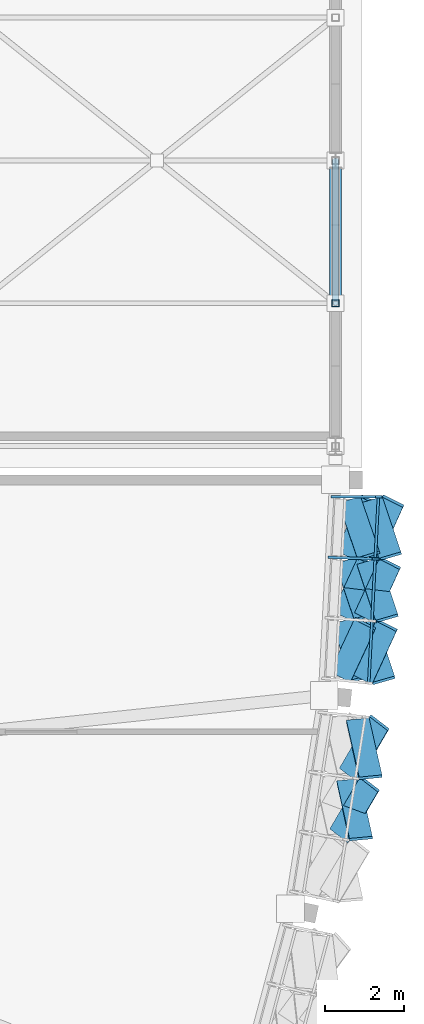
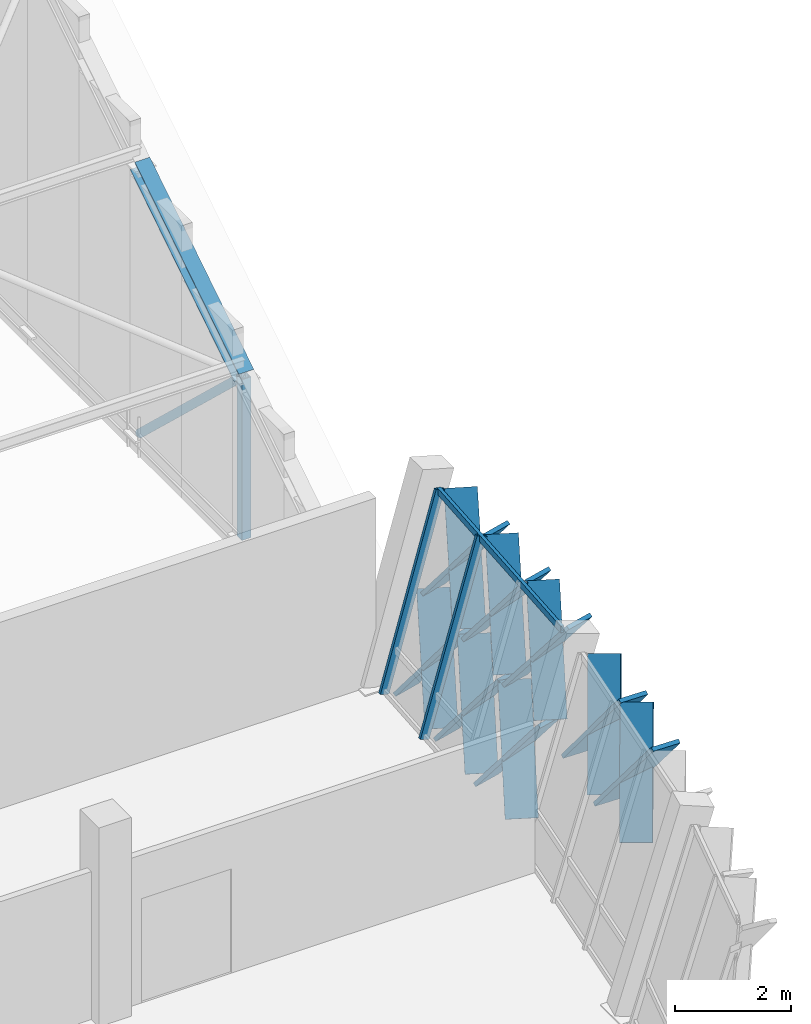
# One storey, part 103 of 182: 22 members, 2 elements without a shape of their own.
"""IFC4 building model written with IfcOpenShell, lengths in metres."""

from ifc_helpers import new_model, si_unit, direction, frame, origin, origin_2d, place, context, subcontext, project, spatial, rectangle, hollow_rectangle, hollow_circle, i_section, extrude, material, material_profile, profile_set, type_object, element, aggregate, save


model = new_model("IFC4")

# Units and contexts
model_context = context("Model", 3, precision=1e-05, world=origin(), true_north=direction((0.0, 1.0)))
body_context = subcontext(model_context, "Body", "Model", "MODEL_VIEW")
ifc_project = project(units=[si_unit("LENGTHUNIT", "METRE"), si_unit("AREAUNIT", "SQUARE_METRE"), si_unit("VOLUMEUNIT", "CUBIC_METRE"), si_unit("PLANEANGLEUNIT", "RADIAN"), si_unit("MASSUNIT", "GRAM", prefix="KILO")], contexts=[model_context])

# Site, building, storey
site_placement = place(None, origin())
site = spatial("IfcSite", under=ifc_project, at=site_placement, CompositionType="ELEMENT")
building_placement = place(site_placement, origin())
building = spatial("IfcBuilding", under=site, at=building_placement, Name="Chiffa Square Polytechnic", CompositionType="ELEMENT")
storey_placement = place(building_placement, frame((0.0, 0.0, 9.60009765625)))
storey = spatial("IfcBuildingStorey", under=building, at=storey_placement, Name="L02", CompositionType="ELEMENT", Elevation=9.60009765625)

# Curtain wall, members
ifc_material_1 = material(Name="Aluminium EN AW-6060 T66 and glulam shading", Category="wood")
curtain_wall_type_1 = type_object("IfcCurtainWallType", Name="CW-PROW-LEAN-150", PredefinedType="USERDEFINED", material=ifc_material_1)
curtain_wall_1_placement = place(storey_placement, origin())
curtain_wall_1 = element("IfcCurtainWall", 1, at=curtain_wall_1_placement, inside=storey, type_object=curtain_wall_type_1, Name="Outward-leaning diamond-fin prow curtain wall CW-V1-L02-043", ObjectType="CURTAIN WALL", PredefinedType="USERDEFINED")
ifc_material_2 = material(Name="Aluminium EN AW-6060 T66", Category="aluminium")
ifc_material_profile_1 = material_profile(ifc_material_2, hollow_rectangle(XDim=0.06494140625, YDim=0.179931640625, WallThickness=0.00390625, at=origin_2d()), Name="ALU 65x180x4")
ifc_profile_set_1 = profile_set([ifc_material_profile_1], Name="Aluminium EN AW-6060 T66")
member_type_1 = type_object("IfcMemberType", Name="CWM-ALU-75X180", PredefinedType="MULLION", material=ifc_profile_set_1)
member_1_placement = place(storey_placement, frame((175.097412109375, 55.395263671875, 0.0), z_axis=(0.271793369959, -0.009540794031, 0.962308337954), x_axis=(0.035081507835, 0.999384454456, 0.0)))
member_1 = element("IfcMember", 2, at=member_1_placement, type_object=member_type_1, Name="Leaning prow mullion CW-V1-L02-043-M02", PredefinedType="MULLION", context=body_context, shape_type="SweptSolid", body=[
    extrude(hollow_rectangle(XDim=0.06494140625, YDim=0.179931640625, WallThickness=0.00390625, at=origin_2d()), origin(), (0.0, 0.0, 1.0), 4.09423828125),
])
member_2_placement = place(storey_placement, frame((175.177001953125, 56.9208984375, 0.0), z_axis=(0.272302676243, 0.0, 0.962211646422), x_axis=(0.0, 1.0, 0.0)))
member_2 = element("IfcMember", 3, at=member_2_placement, type_object=member_type_1, Name="Leaning prow mullion CW-V1-L02-043-M03", PredefinedType="MULLION", context=body_context, shape_type="SweptSolid", body=[
    extrude(hollow_rectangle(XDim=0.06494140625, YDim=0.179931640625, WallThickness=0.00390625, at=origin_2d()), origin(), (0.0, 0.0, 1.0), 4.0947265625),
])

curtain_wall_type_2 = type_object("IfcCurtainWallType", Name="CW-PROW-LEAN-300", PredefinedType="USERDEFINED", material=ifc_material_1)
curtain_wall_2_placement = place(storey_placement, origin())
curtain_wall_2 = element("IfcCurtainWall", 4, at=curtain_wall_2_placement, inside=storey, type_object=curtain_wall_type_2, Name="Outward-leaning diamond-fin prow curtain wall CW-V1-L02-042", ObjectType="CURTAIN WALL", PredefinedType="USERDEFINED")
ifc_material_3 = material(Name="Glulam GL28h", Category="wood")
ifc_material_profile_2 = material_profile(ifc_material_3, rectangle(XDim=0.080078125, YDim=0.580078125, at=origin_2d()), Name="GL28h 80x580")
ifc_profile_set_2 = profile_set([ifc_material_profile_2], Name="Glulam GL28h")
member_type_2 = type_object("IfcMemberType", Name="CWM-GL-80X580", PredefinedType="MULLION", material=ifc_profile_set_2)
member_3_placement = place(storey_placement, frame((175.302001953125, 48.40087890625, 1.969970703125), z_axis=(0.309703639209, 0.526456121502, 0.791787602829), x_axis=(-0.531365704976, -0.594733408208, 0.603276603836)))
member_3 = element("IfcMember", 5, at=member_3_placement, type_object=member_type_2, Name="Diamond glulam fin CW-V1-L02-042-DF04A", PredefinedType="MULLION", context=body_context, shape_type="SweptSolid", body=[
    extrude(rectangle(XDim=0.080078125, YDim=0.580078125, at=origin_2d()), origin(), (0.0, 0.0, 1.0), 2.4375),
])
member_4_placement = place(storey_placement, frame((175.51708984375, 49.760986328125, 1.969970703125), z_axis=(0.132096493048, -0.596487272625, 0.791677617545), x_axis=(-0.016334104744, 0.797258201814, 0.603417398376)))
member_4 = element("IfcMember", 6, at=member_4_placement, type_object=member_type_2, Name="Diamond glulam fin CW-V1-L02-042-DF04B", PredefinedType="MULLION", context=body_context, shape_type="SweptSolid", body=[
    extrude(rectangle(XDim=0.080078125, YDim=0.580078125, at=origin_2d()), origin(), (0.0, 0.0, 1.0), 2.437744140625),
])
member_5_placement = place(storey_placement, frame((175.5439453125, 49.928955078125, 1.969970703125), z_axis=(0.310043683871, 0.531432226229, 0.78832271502), x_axis=(-0.527482048975, -0.593699505438, 0.607687078398)))
member_5 = element("IfcMember", 7, at=member_5_placement, type_object=member_type_2, Name="Diamond glulam fin CW-V1-L02-042-DF06A", PredefinedType="MULLION", context=body_context, shape_type="SweptSolid", body=[
    extrude(rectangle(XDim=0.080078125, YDim=0.580078125, at=origin_2d()), origin(), (0.0, 0.0, 1.0), 2.4482421875),
])
member_6_placement = place(storey_placement, frame((175.760009765625, 51.2890625, 1.969970703125), z_axis=(0.133502872049, -0.591356354109, 0.795282745701), x_axis=(-0.02038282251, 0.800657961775, 0.598774889916)))
member_6 = element("IfcMember", 8, at=member_6_placement, type_object=member_type_2, Name="Diamond glulam fin CW-V1-L02-042-DF06B", PredefinedType="MULLION", context=body_context, shape_type="SweptSolid", body=[
    extrude(rectangle(XDim=0.080078125, YDim=0.580078125, at=origin_2d()), origin(), (0.0, 0.0, 1.0), 2.4267578125),
])
aggregate(curtain_wall_2, [member_3, member_4, member_5, member_6])

# Member
member_7_placement = place(storey_placement, frame((175.327880859375, 52.406982421875, 0.039794921875), z_axis=(0.254496584001, 0.545652794983, 0.798432536949), x_axis=(-0.384459691495, -0.700484249045, 0.601259147503)))
member_7 = element("IfcMember", 9, at=member_7_placement, type_object=member_type_2, Name="Diamond glulam fin CW-V1-L02-043-DF01A", PredefinedType="MULLION", context=body_context, shape_type="SweptSolid", body=[
    extrude(rectangle(XDim=0.080078125, YDim=0.580078125, at=origin_2d()), origin(), (0.0, 0.0, 1.0), 2.41748046875),
])

member_8_placement = place(storey_placement, frame((175.39892578125, 53.764892578125, 0.039794921875), z_axis=(0.193612244687, -0.579735526878, 0.791467635209), x_axis=(-0.200727391068, 0.766258953902, 0.610373434907)))
member_8 = element("IfcMember", 10, at=member_8_placement, type_object=member_type_2, Name="Diamond glulam fin CW-V1-L02-043-DF01B", PredefinedType="MULLION", context=body_context, shape_type="SweptSolid", body=[
    extrude(rectangle(XDim=0.080078125, YDim=0.580078125, at=origin_2d()), origin(), (0.0, 0.0, 1.0), 2.438720703125),
])

member_9_placement = place(storey_placement, frame((175.87109375, 52.35107421875, 1.969970703125), z_axis=(0.253830981436, 0.550520463899, 0.795296832442), x_axis=(-0.38007035695, -0.699321231811, 0.605389410633)))
member_9 = element("IfcMember", 11, at=member_9_placement, type_object=member_type_2, Name="Diamond glulam fin CW-V1-L02-043-DF02A", PredefinedType="MULLION", context=body_context, shape_type="SweptSolid", body=[
    extrude(rectangle(XDim=0.080078125, YDim=0.580078125, at=origin_2d()), origin(), (0.0, 0.0, 1.0), 2.4267578125),
])

member_10_placement = place(storey_placement, frame((175.943115234375, 53.72607421875, 1.969970703125), z_axis=(0.192733657411, -0.584482514095, 0.788183943009), x_axis=(-0.196789268482, 0.76390141505, 0.614596299936)))
member_10 = element("IfcMember", 12, at=member_10_placement, type_object=member_type_2, Name="Diamond glulam fin CW-V1-L02-043-DF02B", PredefinedType="MULLION", context=body_context, shape_type="SweptSolid", body=[
    extrude(rectangle(XDim=0.080078125, YDim=0.580078125, at=origin_2d()), origin(), (0.0, 0.0, 1.0), 2.448486328125),
])

member_11_placement = place(storey_placement, frame((175.407958984375, 53.93310546875, 0.039794921875), z_axis=(0.253698222887, 0.551036964495, 0.794981430893), x_axis=(-0.37955028765, -0.699246049867, 0.605802394259)))
member_11 = element("IfcMember", 13, at=member_11_placement, type_object=member_type_2, Name="Diamond glulam fin CW-V1-L02-043-DF03A", PredefinedType="MULLION", context=body_context, shape_type="SweptSolid", body=[
    extrude(rectangle(XDim=0.080078125, YDim=0.580078125, at=origin_2d()), origin(), (0.0, 0.0, 1.0), 2.427978515625),
])

member_12_placement = place(storey_placement, frame((175.47900390625, 55.291015625, 0.039794921875), z_axis=(0.19476772079, -0.574549693646, 0.794957976543), x_axis=(-0.205303513736, 0.768646041754, 0.605833087363)))
member_12 = element("IfcMember", 14, at=member_12_placement, type_object=member_type_2, Name="Diamond glulam fin CW-V1-L02-043-DF03B", PredefinedType="MULLION", context=body_context, shape_type="SweptSolid", body=[
    extrude(rectangle(XDim=0.080078125, YDim=0.580078125, at=origin_2d()), origin(), (0.0, 0.0, 1.0), 2.427978515625),
])

member_13_placement = place(storey_placement, frame((175.951904296875, 53.89599609375, 1.969970703125), z_axis=(0.253202520757, 0.555883698657, 0.791758673492), x_axis=(-0.375377343192, -0.697850727266, 0.609996895625)))
member_13 = element("IfcMember", 15, at=member_13_placement, type_object=member_type_2, Name="Diamond glulam fin CW-V1-L02-043-DF04A", PredefinedType="MULLION", context=body_context, shape_type="SweptSolid", body=[
    extrude(rectangle(XDim=0.080078125, YDim=0.580078125, at=origin_2d()), origin(), (0.0, 0.0, 1.0), 2.4375),
])

member_14_placement = place(storey_placement, frame((176.02392578125, 55.27099609375, 1.969970703125), z_axis=(0.193706262169, -0.579315936083, 0.791751810984), x_axis=(-0.20109596485, 0.766455062715, 0.610005778464)))
member_14 = element("IfcMember", 16, at=member_14_placement, type_object=member_type_2, Name="Diamond glulam fin CW-V1-L02-043-DF04B", PredefinedType="MULLION", context=body_context, shape_type="SweptSolid", body=[
    extrude(rectangle(XDim=0.080078125, YDim=0.580078125, at=origin_2d()), origin(), (0.0, 0.0, 1.0), 2.4375),
])

member_15_placement = place(storey_placement, frame((175.487060546875, 55.458984375, 0.039794921875), z_axis=(0.253350737358, 0.556350611709, 0.791383219895), x_axis=(-0.375154990008, -0.697545520066, 0.610482580348)))
member_15 = element("IfcMember", 17, at=member_15_placement, type_object=member_type_2, Name="Diamond glulam fin CW-V1-L02-043-DF05A", PredefinedType="MULLION", context=body_context, shape_type="SweptSolid", body=[
    extrude(rectangle(XDim=0.080078125, YDim=0.580078125, at=origin_2d()), origin(), (0.0, 0.0, 1.0), 2.43896484375),
])

member_16_placement = place(storey_placement, frame((175.55810546875, 56.818115234375, 0.039794921875), z_axis=(0.196365755197, -0.5695111697, 0.798183887192), x_axis=(-0.210345865577, 0.770614133981, 0.601588292226)))
member_16 = element("IfcMember", 18, at=member_16_placement, type_object=member_type_2, Name="Diamond glulam fin CW-V1-L02-043-DF05B", PredefinedType="MULLION", context=body_context, shape_type="SweptSolid", body=[
    extrude(rectangle(XDim=0.080078125, YDim=0.580078125, at=origin_2d()), origin(), (0.0, 0.0, 1.0), 2.418212890625),
])

member_17_placement = place(storey_placement, frame((176.032958984375, 55.44091796875, 1.969970703125), z_axis=(0.252382524633, 0.561204602383, 0.78825912968), x_axis=(-0.370592015902, -0.696456135523, 0.614500129408)))
member_17 = element("IfcMember", 19, at=member_17_placement, type_object=member_type_2, Name="Diamond glulam fin CW-V1-L02-043-DF06A", PredefinedType="MULLION", context=body_context, shape_type="SweptSolid", body=[
    extrude(rectangle(XDim=0.080078125, YDim=0.580078125, at=origin_2d()), origin(), (0.0, 0.0, 1.0), 2.4482421875),
])

member_18_placement = place(storey_placement, frame((176.10498046875, 56.81591796875, 1.969970703125), z_axis=(0.194884582224, -0.573988921831, 0.795334343045), x_axis=(-0.205792955938, 0.768903389827, 0.605340264974)))
member_18 = element("IfcMember", 20, at=member_18_placement, type_object=member_type_2, Name="Diamond glulam fin CW-V1-L02-043-DF06B", PredefinedType="MULLION", context=body_context, shape_type="SweptSolid", body=[
    extrude(rectangle(XDim=0.080078125, YDim=0.580078125, at=origin_2d()), origin(), (0.0, 0.0, 1.0), 2.426513671875),
])

ifc_material_profile_3 = material_profile(ifc_material_2, hollow_rectangle(XDim=0.06494140625, YDim=0.139892578125, WallThickness=0.00390625, at=origin_2d()), Name="ALU 65x140x4")
ifc_profile_set_3 = profile_set([ifc_material_profile_3], Name="Aluminium EN AW-6060 T66")
member_type_3 = type_object("IfcMemberType", Name="CWT-ALU-75X140", PredefinedType="USERDEFINED", material=ifc_profile_set_3)
member_19_placement = place(storey_placement, frame((176.03564453125, 52.228271484375, 3.89990234375), z_axis=(0.052163421063, 0.998638561995, 0.0), x_axis=(-0.998638561995, 0.052163421063, 0.0)))
member_19 = element("IfcMember", 21, at=member_19_placement, type_object=member_type_3, Name="Leaning prow transom CW-V1-L02-043-T03", ObjectType="TRANSOM", PredefinedType="USERDEFINED", context=body_context, shape_type="SweptSolid", body=[
    extrude(hollow_rectangle(XDim=0.06494140625, YDim=0.139892578125, WallThickness=0.00390625, at=origin_2d()), origin(), (0.0, 0.0, 1.0), 4.698974609375),
])

aggregate(curtain_wall_1, [member_1, member_2, member_19, member_7, member_8, member_9, member_10, member_11, member_12, member_13, member_14, member_15, member_16, member_17, member_18])

# Members
ifc_material_4 = material(Name="Steel S355", Category="steel")
ifc_material_profile_4 = material_profile(ifc_material_4, i_section(OverallWidth=0.300048828125, OverallDepth=0.31005859375, WebThickness=0.009033203125, FlangeThickness=0.015380859375, FilletRadius=0.027099609375, at=origin_2d()), Name="HEA 320")
ifc_profile_set_4 = profile_set([ifc_material_profile_4], Name="Steel S355")
member_type_4 = type_object("IfcMemberType", Name="MEM-CHORD-HEA320", PredefinedType="CHORD", material=ifc_profile_set_4)
member_20_placement = place(storey_placement, frame((175.199951171875, 61.800048828125, 3.75), z_axis=(0.0, 0.84270706373, 0.538372366248), x_axis=(-1.0, 0.0, 0.0)))
element("IfcMember", 22, at=member_20_placement, inside=storey, type_object=member_type_4, Name="Workshop roof truss top chord TCT-V2-08-02", PredefinedType="CHORD", context=body_context, shape_type="SweptSolid", body=[
    extrude(i_section(OverallWidth=0.300048828125, OverallDepth=0.31005859375, WebThickness=0.009033203125, FlangeThickness=0.015380859375, FilletRadius=0.027099609375, at=origin_2d()), origin(), (0.0, 0.0, 1.0), 4.271728515625),
])
ifc_material_profile_5 = material_profile(ifc_material_4, hollow_circle(Radius=0.084228515625, WallThickness=0.010009765625, at=origin_2d()), Name="CHS 168.3x10")
ifc_profile_set_5 = profile_set([ifc_material_profile_5], Name="Steel S355")
member_type_5 = type_object("IfcMemberType", Name="MEM-WEB-CHS168", PredefinedType="MEMBER", material=ifc_profile_set_5)
member_21_placement = place(storey_placement, frame((175.199951171875, 61.800048828125, 3.75), z_axis=(0.0, 0.726984438285, -0.686653935029), x_axis=(-1.0, 0.0, 0.0)))
element("IfcMember", 23, at=member_21_placement, inside=storey, type_object=member_type_5, Name="Workshop roof truss diagonal TWD-V2-08-02", PredefinedType="MEMBER", context=body_context, shape_type="SweptSolid", body=[
    extrude(hollow_circle(Radius=0.084228515625, WallThickness=0.010009765625, at=origin_2d()), origin(), (0.0, 0.0, 1.0), 4.95166015625),
])
ifc_material_profile_6 = material_profile(ifc_material_4, hollow_rectangle(XDim=0.179931640625, YDim=0.179931640625, WallThickness=0.010009765625, at=origin_2d()), Name="RHS 180x180x10")
ifc_profile_set_6 = profile_set([ifc_material_profile_6], Name="Steel S355")
member_type_6 = type_object("IfcMemberType", Name="MEM-WEB-RHS180", PredefinedType="MEMBER", material=ifc_profile_set_6)
member_22_placement = place(storey_placement, frame((175.199951171875, 61.800048828125, 0.349853515625), z_axis=(0.0, 0.0, 1.0), x_axis=(1.0, 0.0, 0.0)))
element("IfcMember", 24, at=member_22_placement, inside=storey, type_object=member_type_6, Name="Workshop roof truss vertical TWV-V2-08-02", PredefinedType="MEMBER", context=body_context, shape_type="SweptSolid", body=[
    extrude(hollow_rectangle(XDim=0.179931640625, YDim=0.179931640625, WallThickness=0.010009765625, at=origin_2d()), origin(), (0.0, 0.0, 1.0), 3.400146484375),
])

save(model, "model.ifc")
